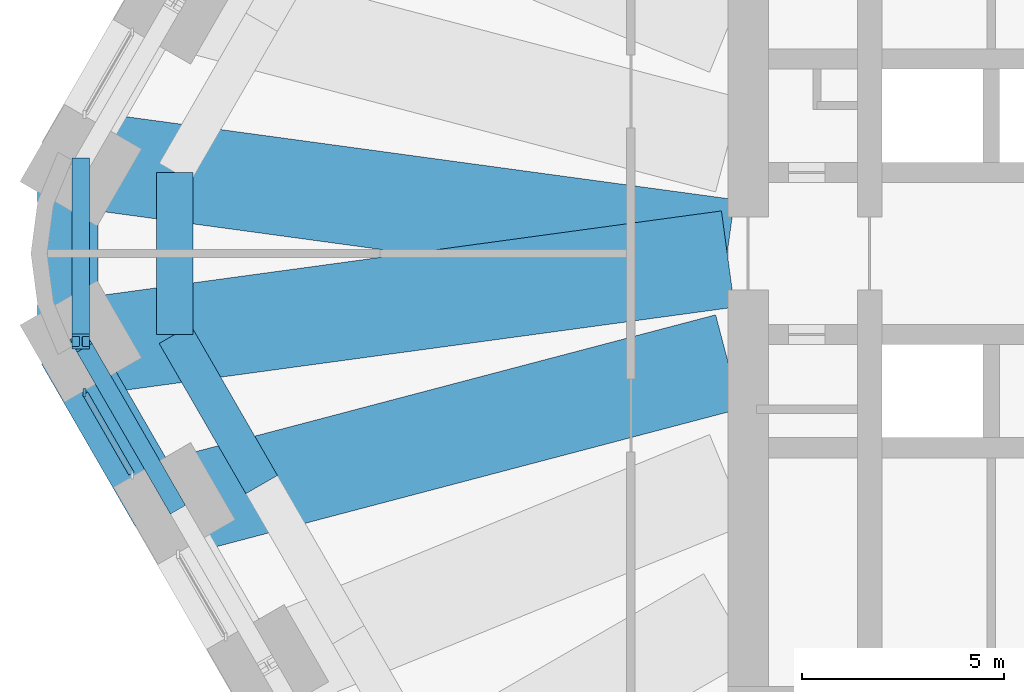
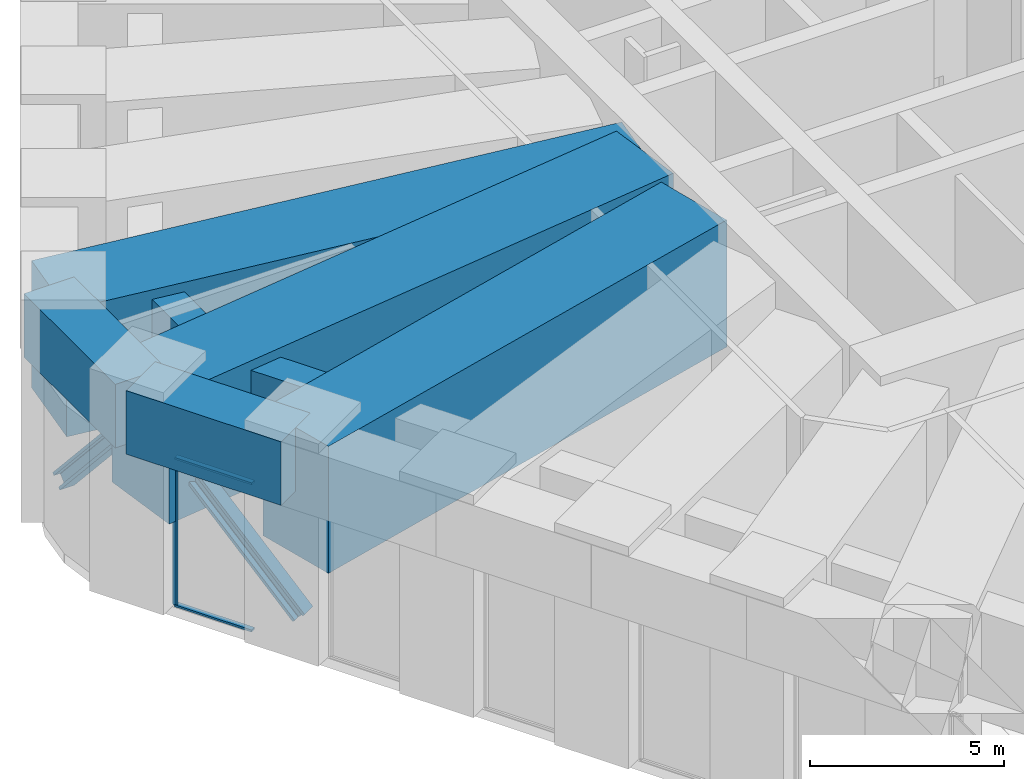
# One storey, part 3 of 14: 7 beams, 5 members, 1 element without a shape of its own.
"""IFC4 building model written with IfcOpenShell, lengths in metres."""

from ifc_helpers import new_model, si_unit, direction, frame, origin, origin_2d, place, context, subcontext, project, spatial, rectangle, i_section, extrude, material, material_profile, profile_set, type_object, element, aggregate, save


model = new_model("IFC4")

# Units and contexts
model_context = context("Model", 3, precision=1e-05, world=origin(), true_north=direction((0.0, 1.0)))
body_context = subcontext(model_context, "Body", "Model", "MODEL_VIEW")
ifc_project = project(units=[si_unit("LENGTHUNIT", "METRE"), si_unit("AREAUNIT", "SQUARE_METRE"), si_unit("VOLUMEUNIT", "CUBIC_METRE"), si_unit("PLANEANGLEUNIT", "RADIAN"), si_unit("MASSUNIT", "GRAM", prefix="KILO")], contexts=[model_context])

# Site, building, storey
site_placement = place(None, origin())
site = spatial("IfcSite", under=ifc_project, at=site_placement, CompositionType="ELEMENT")
building_placement = place(site_placement, origin())
building = spatial("IfcBuilding", under=site, at=building_placement, Name="Tarfa Lantern Tower", CompositionType="ELEMENT")
storey_placement = place(building_placement, frame((0.0, 0.0, 299.5)))
storey = spatial("IfcBuildingStorey", under=building, at=storey_placement, Name="L68", CompositionType="ELEMENT", Elevation=299.5)

# Members
ifc_material_1 = material(Name="Steel S460M", Category="steel")
ifc_material_profile_1 = material_profile(ifc_material_1, i_section(OverallWidth=0.431884765625, OverallDepth=0.498046875, WebThickness=0.0556640625, FlangeThickness=0.0888671875, FilletRadius=0.02001953125, at=origin_2d()), Name="HD400x744")
ifc_profile_set_1 = profile_set([ifc_material_profile_1], Name="Steel S460M")
member_type_1 = type_object("IfcMemberType", Name="BT3 HD400x744", PredefinedType="BRACE", material=ifc_profile_set_1)
member_1_placement = place(storey_placement, frame((-31.47998046875, 2.175048828125, 0.60009765625), z_axis=(0.0, -0.671542704694, 0.74096585331), x_axis=(1.0, 0.0, 0.0)))
element("IfcMember", 1, at=member_1_placement, inside=storey, type_object=member_type_1, Name="Belt truss diagonal 21", PredefinedType="BRACE", context=body_context, shape_type="SweptSolid", body=[
    extrude(i_section(OverallWidth=0.431884765625, OverallDepth=0.498046875, WebThickness=0.0556640625, FlangeThickness=0.0888671875, FilletRadius=0.02001953125, at=origin_2d()), origin(), (0.0, 0.0, 1.0), 6.477783203125),
])
member_2_placement = place(storey_placement, frame((-29.170654296875, -6.175048828125, 0.60009765625), z_axis=(-0.346685053974, 0.600495604642, 0.720565404496), x_axis=(-0.866032426089, -0.499987836815, 0.0)))
element("IfcMember", 2, at=member_2_placement, inside=storey, type_object=member_type_1, Name="Belt truss diagonal 22", PredefinedType="BRACE", context=body_context, shape_type="SweptSolid", body=[
    extrude(i_section(OverallWidth=0.431884765625, OverallDepth=0.498046875, WebThickness=0.0556640625, FlangeThickness=0.0888671875, FilletRadius=0.02001953125, at=origin_2d()), origin(), (0.0, 0.0, 1.0), 6.6611328125),
])

# Curtain wall, members
ifc_material_2 = material(Name="Aluminium framed curtain wall", Category="aluminium")
curtain_wall_type = type_object("IfcCurtainWallType", Name="CW6 LOUVRED SCREEN WALL 4700", PredefinedType="USERDEFINED", material=ifc_material_2)
curtain_wall_placement = place(storey_placement, origin())
curtain_wall = element("IfcCurtainWall", 3, at=curtain_wall_placement, inside=storey, type_object=curtain_wall_type, Name="CW6 SW L68", ObjectType="CURTAIN WALL", PredefinedType="USERDEFINED")
ifc_material_3 = material(Name="Aluminium mullion", Category="aluminium")
ifc_material_profile_2 = material_profile(ifc_material_3, rectangle(XDim=0.06494140625, YDim=0.199951171875, at=origin_2d()), Name="AL MULLION 65x200")
ifc_profile_set_2 = profile_set([ifc_material_profile_2], Name="Aluminium mullion")
member_type_2 = type_object("IfcMemberType", Name="CWM1 MULLION 65x200", PredefinedType="MULLION", material=ifc_profile_set_2)
member_3_placement = place(storey_placement, frame((-31.39013671875, -3.4306640625, 0.0), z_axis=(0.0, 0.0, 1.0), x_axis=(1.0, 0.0, 0.0)))
member_3 = element("IfcMember", 4, at=member_3_placement, type_object=member_type_2, Name="CW6 mullion 1", PredefinedType="MULLION", context=body_context, shape_type="SweptSolid", body=[
    extrude(rectangle(XDim=0.06494140625, YDim=0.199951171875, at=origin_2d()), origin(), (0.0, 0.0, 1.0), 4.699951171875),
])
ifc_material_4 = material(Name="Aluminium transom", Category="aluminium")
ifc_material_profile_3 = material_profile(ifc_material_4, rectangle(XDim=0.14990234375, YDim=0.06494140625, at=origin_2d()), Name="AL TRANSOM 150x65")
ifc_profile_set_3 = profile_set([ifc_material_profile_3], Name="Aluminium transom")
member_type_3 = type_object("IfcMemberType", Name="CWT1 TRANSOM 150x65", PredefinedType="USERDEFINED", material=ifc_profile_set_3)
member_4_placement = place(storey_placement, frame((-31.373779296875, -3.458984375, 0.032470703125), z_axis=(0.499959451571, -0.866048813165, 0.0), x_axis=(0.866048813165, 0.499959451571, 0.0)))
member_4 = element("IfcMember", 5, at=member_4_placement, type_object=member_type_3, Name="CW6 transom 1.1", ObjectType="TRANSOM", PredefinedType="USERDEFINED", context=body_context, shape_type="SweptSolid", body=[
    extrude(rectangle(XDim=0.14990234375, YDim=0.06494140625, at=origin_2d()), origin(), (0.0, 0.0, 1.0), 2.288818359375),
])
member_5_placement = place(storey_placement, frame((-31.373779296875, -3.458984375, 4.66748046875), z_axis=(0.499959451571, -0.866048813165, 0.0), x_axis=(0.866048813165, 0.499959451571, 0.0)))
member_5 = element("IfcMember", 6, at=member_5_placement, type_object=member_type_3, Name="CW6 transom 1.2", ObjectType="TRANSOM", PredefinedType="USERDEFINED", context=body_context, shape_type="SweptSolid", body=[
    extrude(rectangle(XDim=0.14990234375, YDim=0.06494140625, at=origin_2d()), origin(), (0.0, 0.0, 1.0), 2.288818359375),
])
aggregate(curtain_wall, [member_3, member_4, member_5])

# Beams
ifc_material_5 = material(Name="Concrete C80/95", Category="concrete")
ifc_material_profile_4 = material_profile(ifc_material_5, rectangle(XDim=1.5, YDim=2.0, at=origin_2d()), Name="RC 1500x2000")
ifc_profile_set_4 = profile_set([ifc_material_profile_4], Name="Concrete C80/95")
beam_type_1 = type_object("IfcBeamType", Name="RB3 RC 1500x2000", PredefinedType="BEAM", material=ifc_profile_set_4)
beam_1_placement = place(storey_placement, frame((-31.800537109375, 2.360107421875, 5.699951171875), z_axis=(0.0, -1.0, 0.0), x_axis=(1.0, 0.0, 0.0)))
element("IfcBeam", 7, at=beam_1_placement, inside=storey, type_object=beam_type_1, Name="Edge beam NW6", PredefinedType="BEAM", context=body_context, shape_type="SweptSolid", body=[
    extrude(rectangle(XDim=1.5, YDim=2.0, at=origin_2d()), origin(), (0.0, 0.0, 1.0), 4.72021484375),
])
beam_2_placement = place(storey_placement, frame((-31.800537109375, -2.360107421875, 5.699951171875), z_axis=(0.500027479704, -0.866009537788, 0.0), x_axis=(0.866009537788, 0.500027479704, 0.0)))
element("IfcBeam", 8, at=beam_2_placement, inside=storey, type_object=beam_type_1, Name="Edge beam SW0", PredefinedType="BEAM", context=body_context, shape_type="SweptSolid", body=[
    extrude(rectangle(XDim=1.5, YDim=2.0, at=origin_2d()), origin(), (0.0, 0.0, 1.0), 4.618896484375),
])
ifc_material_profile_5 = material_profile(ifc_material_5, rectangle(XDim=0.89990234375, YDim=3.39990234375, at=origin_2d()), Name="RC 900x3400")
ifc_profile_set_5 = profile_set([ifc_material_profile_5], Name="Concrete C80/95")
beam_type_2 = type_object("IfcBeamType", Name="RG3 RC 900x3400", PredefinedType="BEAM", material=ifc_profile_set_5)
beam_3_placement = place(storey_placement, frame((-29.15625, 2.0, 4.699951171875), z_axis=(0.0, -1.0, 0.0), x_axis=(1.0, 0.0, 0.0)))
element("IfcBeam", 9, at=beam_3_placement, inside=storey, type_object=beam_type_2, Name="Ring girder NW6", PredefinedType="BEAM", context=body_context, shape_type="SweptSolid", body=[
    extrude(rectangle(XDim=0.89990234375, YDim=3.39990234375, at=origin_2d()), origin(), (0.0, 0.0, 1.0), 4.0),
])
beam_4_placement = place(storey_placement, frame((-29.15625, -2.0, 4.699951171875), z_axis=(0.500026801138, -0.866009929587, 0.0), x_axis=(0.866009929587, 0.500026801138, 0.0)))
element("IfcBeam", 10, at=beam_4_placement, inside=storey, type_object=beam_type_2, Name="Ring girder SW0", PredefinedType="BEAM", context=body_context, shape_type="SweptSolid", body=[
    extrude(rectangle(XDim=0.89990234375, YDim=3.39990234375, at=origin_2d()), origin(), (0.0, 0.0, 1.0), 4.281982421875),
])
ifc_material_profile_6 = material_profile(ifc_material_5, rectangle(XDim=2.39990234375, YDim=4.0, at=origin_2d()), Name="RC 2400x4000")
ifc_profile_set_6 = profile_set([ifc_material_profile_6], Name="Concrete C80/95")
beam_type_3 = type_object("IfcBeamType", Name="TG3 RC 2400x4000", PredefinedType="BEAM", material=ifc_profile_set_6)
for number, where, z_axis, x_axis, name in (
    (11, (-31.800537109375, 2.360107421875, 4.699951171875), (0.990859133985, -0.134900617489, 0.0), (0.134900617489, 0.990859133985, 0.0), "Transfer girder NW6"),
    (12, (-31.800537109375, -2.360107421875, 4.699951171875), (0.990859133985, 0.134900617489, 0.0), (-0.134900617489, 0.990859133985, 0.0), "Transfer girder SW0"),
):
    element("IfcBeam", number, at=place(storey_placement, frame(where, z_axis=z_axis, x_axis=x_axis)), inside=storey, type_object=beam_type_3, Name=name, PredefinedType="BEAM", context=body_context, shape_type="SweptSolid", body=[
        extrude(rectangle(XDim=2.39990234375, YDim=4.0, at=origin_2d()), origin(), (0.0, 0.0, 1.0), 16.450927734375),
    ])
beam_5_placement = place(storey_placement, frame((-29.490966796875, -6.360107421875, 4.699951171875), z_axis=(0.967061201985, 0.25454396794, 0.0), x_axis=(-0.25454396794, 0.967061201985, 0.0)))
element("IfcBeam", 13, at=beam_5_placement, inside=storey, type_object=beam_type_3, Name="Transfer girder SW1", PredefinedType="BEAM", context=body_context, shape_type="SweptSolid", body=[
    extrude(rectangle(XDim=2.39990234375, YDim=4.0, at=origin_2d()), origin(), (0.0, 0.0, 1.0), 14.467529296875),
])

save(model, "model.ifc")
